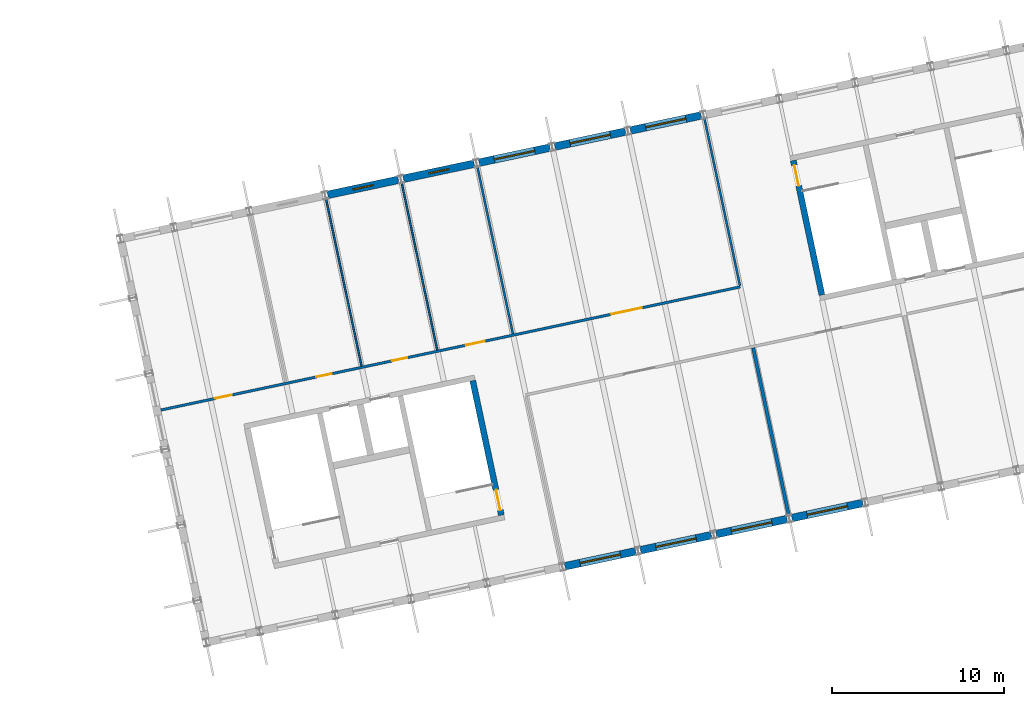
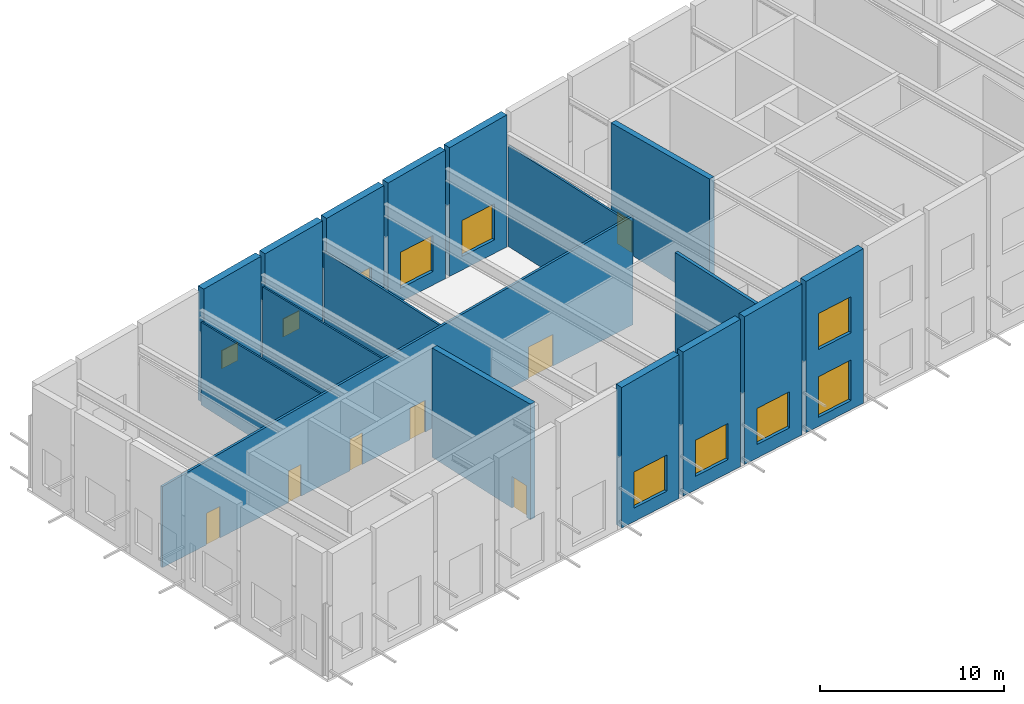
# One storey, part 41 of 69: 17 walls, 10 windows, 7 doors, 17 openings.
"""IFC4 building model written with IfcOpenShell, lengths in metres."""

from ifc_helpers import new_model, si_unit, direction, frame, frame_2d, origin, place, context, subcontext, project, spatial, polyline, rectangle, outline, extrude, material, layer, layer_set, type_object, element, fill, save


model = new_model("IFC4")

# Units and contexts
model_context = context("Model", 3, precision=1e-05, world=origin(), true_north=direction((0.0, 1.0)))
body_context = subcontext(model_context, "Body", "Model", "MODEL_VIEW")
ifc_project = project(units=[si_unit("LENGTHUNIT", "METRE"), si_unit("AREAUNIT", "SQUARE_METRE"), si_unit("VOLUMEUNIT", "CUBIC_METRE"), si_unit("PLANEANGLEUNIT", "RADIAN"), si_unit("MASSUNIT", "GRAM", prefix="KILO")], contexts=[model_context])

# Site, building, storey
site_placement = place(None, origin())
site = spatial("IfcSite", under=ifc_project, at=site_placement, CompositionType="ELEMENT")
building_placement = place(site_placement, origin())
building = spatial("IfcBuilding", under=site, at=building_placement, Name="Okhra Congress Centre", CompositionType="ELEMENT")
storey_placement = place(building_placement, frame((0.0, 0.0, 16.800048828125)))
storey = spatial("IfcBuildingStorey", under=building, at=storey_placement, Name="L03", CompositionType="ELEMENT", Elevation=16.800048828125)

# Wall
ifc_material_1 = material(Name="Double gypsum board on steel studs with mineral wool", Category="steel")
ifc_layer_1 = layer(ifc_material_1, 0.199951171875)
ifc_layer_set_1 = layer_set([ifc_layer_1], Name="Acoustic partition 200")
wall_type_1 = type_object("IfcWallType", Name="Acoustic partition 200", PredefinedType="PARTITIONING", material=ifc_layer_set_1)
wall_1_placement = place(storey_placement, frame((96.177490234375, 34.51416015625, 0.0), z_axis=(0.0, 0.0, 1.0), x_axis=(-0.20790935802, 0.978148096582, 0.0)))
element("IfcWall", 1, at=wall_1_placement, inside=storey, type_object=wall_type_1, Name="Partition S L03", PredefinedType="PARTITIONING", context=body_context, shape_type="SweptSolid", body=[
    extrude(outline(polyline([(0.0, 0.0), (9.9248046875, 0.0), (9.925048828125, 6.695556640625), (0.0, 6.695556640625), (0.0, 0.0)])), frame((0.0, 0.10009765625, 0.0), z_axis=(0.0, -1.0, 0.0), x_axis=(1.0, 0.0, 0.0)), (0.0, 0.0, 1.0), 0.199951171875),
])

# Wall, opening, window
ifc_material_2 = material(Name="Insulated metal panel on steel stud (mineral wool, vapour barrier)", Category="steel")
ifc_layer_2 = layer(ifc_material_2, 0.449951171875)
ifc_layer_set_2 = layer_set([ifc_layer_2], Name="Insulated wall 450")
wall_type_2 = type_object("IfcWallType", Name="Insulated wall 450", PredefinedType="SOLIDWALL", material=ifc_layer_set_2)
wall_2_placement = place(storey_placement, frame((83.166015625, 31.5185546875, 0.0), z_axis=(0.0, 0.0, 1.0), x_axis=(0.978155748334, 0.207873355681, 0.0)))
wall_2 = element("IfcWall", 2, at=wall_2_placement, inside=storey, type_object=wall_type_2, Name="External wall S6 L03", PredefinedType="SOLIDWALL", context=body_context, shape_type="SweptSolid", body=[
    extrude(outline(polyline([(0.0, 0.0), (4.199951171875, 0.0), (4.199951171875, 9.556640625), (0.0, 9.331787109375), (0.0, 0.0)])), frame((0.0, 0.22509765625, 0.0), z_axis=(0.0, -1.0, 0.0), x_axis=(1.0, 0.0, 0.0)), (0.0, 0.0, 1.0), 0.449951171875),
])
opening_1_placement = place(wall_2_placement, frame((0.89990234375, 0.0, 0.89990234375)))
opening_1 = element("IfcOpeningElement", 3, at=opening_1_placement, cuts=wall_2, Name="Opening WN22", PredefinedType="OPENING", context=body_context, shape_type="SweptSolid", body=[
    extrude(rectangle(XDim=2.39990234375, YDim=2.39990234375, at=frame_2d((1.199951171875, 1.199951171875))), frame((0.0, 0.23486328125, 0.0), z_axis=(0.0, -1.0, 0.0), x_axis=(1.0, 0.0, 0.0)), (0.0, 0.0, 1.0), 0.469970703125),
])
ifc_material_3 = material(Name="Thermally broken aluminium frame, triple glazing", Category="aluminium")
window_type_1 = type_object("IfcWindowType", Name="Fixed window 2400x2400", PartitioningType="SINGLE_PANEL", PredefinedType="WINDOW", material=ifc_material_3)
window_1_placement = place(opening_1_placement, origin())
window_1 = element("IfcWindow", 4, at=window_1_placement, inside=storey, type_object=window_type_1, Name="BX.WIN.L03.6", OverallHeight=2.39990234375, OverallWidth=2.39990234375, PartitioningType="SINGLE_PANEL", PredefinedType="WINDOW", context=body_context, shape_type="SweptSolid", body=[
    extrude(rectangle(XDim=2.39990234375, YDim=2.39990234375, at=frame_2d((1.199951171875, 1.199951171875))), frame((0.0, 0.030029296875, 0.0), z_axis=(0.0, -1.0, 0.0), x_axis=(1.0, 0.0, 0.0)), (0.0, 0.0, 1.0), 0.06005859375),
])
fill(opening_1, window_1)

wall_3_placement = place(storey_placement, frame((87.567626953125, 32.4541015625, 0.0), z_axis=(0.0, 0.0, 1.0), x_axis=(0.97815826, 0.207861536591, 0.0)))
wall_3 = element("IfcWall", 5, at=wall_3_placement, inside=storey, type_object=wall_type_2, Name="External wall S7 L03", PredefinedType="SOLIDWALL", context=body_context, shape_type="SweptSolid", body=[
    extrude(outline(polyline([(0.0, 0.0), (4.2001953125, 0.0), (4.199951171875, 9.79736328125), (0.0, 9.57275390625), (0.0, 0.0)])), frame((0.0, 0.22509765625, 0.0), z_axis=(0.0, -1.0, 0.0), x_axis=(1.0, 0.0, 0.0)), (0.0, 0.0, 1.0), 0.449951171875),
])
opening_2_placement = place(wall_3_placement, frame((0.89990234375, 0.0, 0.89990234375)))
opening_2 = element("IfcOpeningElement", 6, at=opening_2_placement, cuts=wall_3, Name="Opening WN22", PredefinedType="OPENING", context=body_context, shape_type="SweptSolid", body=[
    extrude(rectangle(XDim=2.39990234375, YDim=2.39990234375, at=frame_2d((1.199951171875, 1.199951171875))), frame((0.0, 0.23486328125, 0.0), z_axis=(0.0, -1.0, 0.0), x_axis=(1.0, 0.0, 0.0)), (0.0, 0.0, 1.0), 0.469970703125),
])
window_2_placement = place(opening_2_placement, origin())
window_2 = element("IfcWindow", 7, at=window_2_placement, inside=storey, type_object=window_type_1, Name="BX.WIN.L03.7", OverallHeight=2.39990234375, OverallWidth=2.39990234375, PartitioningType="SINGLE_PANEL", PredefinedType="WINDOW", context=body_context, shape_type="SweptSolid", body=[
    extrude(rectangle(XDim=2.39990234375, YDim=2.39990234375, at=frame_2d((1.199951171875, 1.199951171875))), frame((0.0, 0.030029296875, 0.0), z_axis=(0.0, -1.0, 0.0), x_axis=(1.0, 0.0, 0.0)), (0.0, 0.0, 1.0), 0.06005859375),
])
fill(opening_2, window_2)

wall_4_placement = place(storey_placement, frame((91.969482421875, 33.3896484375, 0.0), z_axis=(0.0, 0.0, 1.0), x_axis=(0.978143927149, 0.207928972925, 0.0)))
wall_4 = element("IfcWall", 8, at=wall_4_placement, inside=storey, type_object=wall_type_2, Name="External wall S8 L03", PredefinedType="SOLIDWALL", context=body_context, shape_type="SweptSolid", body=[
    extrude(outline(polyline([(0.0, 0.0), (4.199951171875, 0.0), (4.199951171875, 10.0380859375), (0.0, 9.8134765625), (0.0, 0.0)])), frame((0.0, 0.22509765625, 0.0), z_axis=(0.0, -1.0, 0.0), x_axis=(1.0, 0.0, 0.0)), (0.0, 0.0, 1.0), 0.449951171875),
])
opening_3_placement = place(wall_4_placement, frame((0.89990234375, 0.0, 0.89990234375)))
opening_3 = element("IfcOpeningElement", 9, at=opening_3_placement, cuts=wall_4, Name="Opening WN22", PredefinedType="OPENING", context=body_context, shape_type="SweptSolid", body=[
    extrude(rectangle(XDim=2.39990234375, YDim=2.39990234375, at=frame_2d((1.199951171875, 1.199951171875))), frame((0.0, 0.23486328125, 0.0), z_axis=(0.0, -1.0, 0.0), x_axis=(1.0, 0.0, 0.0)), (0.0, 0.0, 1.0), 0.469970703125),
])
window_3_placement = place(opening_3_placement, origin())
window_3 = element("IfcWindow", 10, at=window_3_placement, inside=storey, type_object=window_type_1, Name="BX.WIN.L03.8", OverallHeight=2.39990234375, OverallWidth=2.39990234375, PartitioningType="SINGLE_PANEL", PredefinedType="WINDOW", context=body_context, shape_type="SweptSolid", body=[
    extrude(rectangle(XDim=2.39990234375, YDim=2.39990234375, at=frame_2d((1.199951171875, 1.199951171875))), frame((0.0, 0.030029296875, 0.0), z_axis=(0.0, -1.0, 0.0), x_axis=(1.0, 0.0, 0.0)), (0.0, 0.0, 1.0), 0.06005859375),
])
fill(opening_3, window_3)

# Wall, openings, windows
wall_5_placement = place(storey_placement, frame((96.37109375, 34.3251953125, 0.0), z_axis=(0.0, 0.0, 1.0), x_axis=(0.978143927149, 0.207928972925, 0.0)))
wall_5 = element("IfcWall", 11, at=wall_5_placement, inside=storey, type_object=wall_type_2, Name="External wall S9 L03", PredefinedType="SOLIDWALL", context=body_context, shape_type="SweptSolid", body=[
    extrude(outline(polyline([(0.0, 0.0), (4.199951171875, 0.0), (4.199951171875, 10.27880859375), (0.0, 10.05419921875), (0.0, 0.0)])), frame((0.0, 0.22509765625, 0.0), z_axis=(0.0, -1.0, 0.0), x_axis=(1.0, 0.0, 0.0)), (0.0, 0.0, 1.0), 0.449951171875),
])
opening_4_placement = place(wall_5_placement, frame((0.89990234375, 0.0, 0.60009765625)))
opening_4 = element("IfcOpeningElement", 12, at=opening_4_placement, cuts=wall_5, Name="Opening WN23", PredefinedType="OPENING", context=body_context, shape_type="SweptSolid", body=[
    extrude(rectangle(XDim=2.39990234375, YDim=2.699951171875, at=frame_2d((1.199951171875, 1.35009765625))), frame((0.0, 0.23486328125, 0.0), z_axis=(0.0, -1.0, 0.0), x_axis=(1.0, 0.0, 0.0)), (0.0, 0.0, 1.0), 0.469970703125),
])
opening_5_placement = place(wall_5_placement, frame((0.89990234375, 0.0, 5.10009765625)))
opening_5 = element("IfcOpeningElement", 13, at=opening_5_placement, cuts=wall_5, Name="Opening WN22", PredefinedType="OPENING", context=body_context, shape_type="SweptSolid", body=[
    extrude(rectangle(XDim=2.39990234375, YDim=2.39990234375, at=frame_2d((1.199951171875, 1.199951171875))), frame((0.0, 0.23486328125, 0.0), z_axis=(0.0, -1.0, 0.0), x_axis=(1.0, 0.0, 0.0)), (0.0, 0.0, 1.0), 0.469970703125),
])
window_type_2 = type_object("IfcWindowType", Name="Casement window 2400x2700", PartitioningType="SINGLE_PANEL", PredefinedType="WINDOW", material=ifc_material_3)
window_4_placement = place(opening_4_placement, origin())
window_4 = element("IfcWindow", 14, at=window_4_placement, inside=storey, type_object=window_type_2, Name="BX.WIN.L03.9", OverallHeight=2.699951171875, OverallWidth=2.39990234375, PartitioningType="SINGLE_PANEL", PredefinedType="WINDOW", context=body_context, shape_type="SweptSolid", body=[
    extrude(rectangle(XDim=2.39990234375, YDim=2.699951171875, at=frame_2d((1.199951171875, 1.35009765625))), frame((0.0, 0.030029296875, 0.0), z_axis=(0.0, -1.0, 0.0), x_axis=(1.0, 0.0, 0.0)), (0.0, 0.0, 1.0), 0.06005859375),
])
fill(opening_4, window_4)
window_5_placement = place(opening_5_placement, origin())
window_5 = element("IfcWindow", 15, at=window_5_placement, inside=storey, type_object=window_type_1, Name="BX.WIN.L03.10", OverallHeight=2.39990234375, OverallWidth=2.39990234375, PartitioningType="SINGLE_PANEL", PredefinedType="WINDOW", context=body_context, shape_type="SweptSolid", body=[
    extrude(rectangle(XDim=2.39990234375, YDim=2.39990234375, at=frame_2d((1.199951171875, 1.199951171875))), frame((0.0, 0.030029296875, 0.0), z_axis=(0.0, -1.0, 0.0), x_axis=(1.0, 0.0, 0.0)), (0.0, 0.0, 1.0), 0.06005859375),
])
fill(opening_5, window_5)

# Wall, opening, window
wall_6_placement = place(storey_placement, frame((69.372802734375, 53.122802734375, 0.0), z_axis=(0.0, 0.0, 1.0), x_axis=(0.978143927149, 0.207928972925, 0.0)))
wall_6 = element("IfcWall", 16, at=wall_6_placement, inside=storey, type_object=wall_type_2, Name="External wall N4 L03", PredefinedType="SOLIDWALL", context=body_context, shape_type="SweptSolid", body=[
    extrude(outline(polyline([(0.0, 0.0), (4.199951171875, 0.0), (4.199951171875, 7.817138671875), (0.0, 7.592529296875), (0.0, 0.0)])), frame((0.0, 0.22509765625, 0.0), z_axis=(0.0, -1.0, 0.0), x_axis=(1.0, 0.0, 0.0)), (0.0, 0.0, 1.0), 0.449951171875),
])
opening_6_placement = place(wall_6_placement, frame((1.5, 0.0, 1.5)))
opening_6 = element("IfcOpeningElement", 17, at=opening_6_placement, cuts=wall_6, Name="Opening WN24", PredefinedType="OPENING", context=body_context, shape_type="SweptSolid", body=[
    extrude(rectangle(XDim=1.199951171875, YDim=1.199951171875, at=frame_2d((0.60009765625, 0.60009765625))), frame((0.0, 0.23486328125, 0.0), z_axis=(0.0, -1.0, 0.0), x_axis=(1.0, 0.0, 0.0)), (0.0, 0.0, 1.0), 0.469970703125),
])
window_type_3 = type_object("IfcWindowType", Name="Tilt-and-turn window 1200x1200", PartitioningType="SINGLE_PANEL", PredefinedType="WINDOW", material=ifc_material_3)
window_6_placement = place(opening_6_placement, origin())
window_6 = element("IfcWindow", 18, at=window_6_placement, inside=storey, type_object=window_type_3, Name="BX.WIN.L03.79", OverallHeight=1.199951171875, OverallWidth=1.199951171875, PartitioningType="SINGLE_PANEL", PredefinedType="WINDOW", context=body_context, shape_type="SweptSolid", body=[
    extrude(rectangle(XDim=1.199951171875, YDim=1.199951171875, at=frame_2d((0.60009765625, 0.60009765625))), frame((0.0, 0.030029296875, 0.0), z_axis=(0.0, -1.0, 0.0), x_axis=(1.0, 0.0, 0.0)), (0.0, 0.0, 1.0), 0.06005859375),
])
fill(opening_6, window_6)

wall_7_placement = place(storey_placement, frame((73.7744140625, 54.058349609375, 0.0), z_axis=(0.0, 0.0, 1.0), x_axis=(0.978146440129, 0.207917150959, 0.0)))
wall_7 = element("IfcWall", 19, at=wall_7_placement, inside=storey, type_object=wall_type_2, Name="External wall N5 L03", PredefinedType="SOLIDWALL", context=body_context, shape_type="SweptSolid", body=[
    extrude(outline(polyline([(0.0, 0.0), (4.2001953125, 0.0), (4.199951171875, 8.05810546875), (0.0, 7.833251953125), (0.0, 0.0)])), frame((0.0, 0.22509765625, 0.0), z_axis=(0.0, -1.0, 0.0), x_axis=(1.0, 0.0, 0.0)), (0.0, 0.0, 1.0), 0.449951171875),
])
opening_7_placement = place(wall_7_placement, frame((1.5, 0.0, 1.5)))
opening_7 = element("IfcOpeningElement", 20, at=opening_7_placement, cuts=wall_7, Name="Opening WN24", PredefinedType="OPENING", context=body_context, shape_type="SweptSolid", body=[
    extrude(rectangle(XDim=1.199951171875, YDim=1.199951171875, at=frame_2d((0.60009765625, 0.60009765625))), frame((0.0, 0.23486328125, 0.0), z_axis=(0.0, -1.0, 0.0), x_axis=(1.0, 0.0, 0.0)), (0.0, 0.0, 1.0), 0.469970703125),
])
window_7_placement = place(opening_7_placement, origin())
window_7 = element("IfcWindow", 21, at=window_7_placement, inside=storey, type_object=window_type_3, Name="BX.WIN.L03.80", OverallHeight=1.199951171875, OverallWidth=1.199951171875, PartitioningType="SINGLE_PANEL", PredefinedType="WINDOW", context=body_context, shape_type="SweptSolid", body=[
    extrude(rectangle(XDim=1.199951171875, YDim=1.199951171875, at=frame_2d((0.60009765625, 0.60009765625))), frame((0.0, 0.030029296875, 0.0), z_axis=(0.0, -1.0, 0.0), x_axis=(1.0, 0.0, 0.0)), (0.0, 0.0, 1.0), 0.06005859375),
])
fill(opening_7, window_7)

wall_8_placement = place(storey_placement, frame((78.17626953125, 54.993896484375, 0.0), z_axis=(0.0, 0.0, 1.0), x_axis=(0.978143927149, 0.207928972925, 0.0)))
wall_8 = element("IfcWall", 22, at=wall_8_placement, inside=storey, type_object=wall_type_2, Name="External wall N6 L03", PredefinedType="SOLIDWALL", context=body_context, shape_type="SweptSolid", body=[
    extrude(outline(polyline([(0.0, 0.0), (4.199951171875, 0.0), (4.199951171875, 8.298828125), (0.0, 8.073974609375), (0.0, 0.0)])), frame((0.0, 0.22509765625, 0.0), z_axis=(0.0, -1.0, 0.0), x_axis=(1.0, 0.0, 0.0)), (0.0, 0.0, 1.0), 0.449951171875),
])
opening_8_placement = place(wall_8_placement, frame((0.89990234375, 0.0, 0.89990234375)))
opening_8 = element("IfcOpeningElement", 23, at=opening_8_placement, cuts=wall_8, Name="Opening WN22", PredefinedType="OPENING", context=body_context, shape_type="SweptSolid", body=[
    extrude(rectangle(XDim=2.39990234375, YDim=2.39990234375, at=frame_2d((1.199951171875, 1.199951171875))), frame((0.0, 0.23486328125, 0.0), z_axis=(0.0, -1.0, 0.0), x_axis=(1.0, 0.0, 0.0)), (0.0, 0.0, 1.0), 0.469970703125),
])
window_8_placement = place(opening_8_placement, origin())
window_8 = element("IfcWindow", 24, at=window_8_placement, inside=storey, type_object=window_type_1, Name="BX.WIN.L03.81", OverallHeight=2.39990234375, OverallWidth=2.39990234375, PartitioningType="SINGLE_PANEL", PredefinedType="WINDOW", context=body_context, shape_type="SweptSolid", body=[
    extrude(rectangle(XDim=2.39990234375, YDim=2.39990234375, at=frame_2d((1.199951171875, 1.199951171875))), frame((0.0, 0.030029296875, 0.0), z_axis=(0.0, -1.0, 0.0), x_axis=(1.0, 0.0, 0.0)), (0.0, 0.0, 1.0), 0.06005859375),
])
fill(opening_8, window_8)

wall_9_placement = place(storey_placement, frame((82.577880859375, 55.9296875, 0.0), z_axis=(0.0, 0.0, 1.0), x_axis=(0.978155748334, 0.207873355681, 0.0)))
wall_9 = element("IfcWall", 25, at=wall_9_placement, inside=storey, type_object=wall_type_2, Name="External wall N7 L03", PredefinedType="SOLIDWALL", context=body_context, shape_type="SweptSolid", body=[
    extrude(outline(polyline([(0.0, 0.0), (4.199951171875, 0.0), (4.199951171875, 8.53955078125), (0.0, 8.31494140625), (0.0, 0.0)])), frame((0.0, 0.22509765625, 0.0), z_axis=(0.0, -1.0, 0.0), x_axis=(1.0, 0.0, 0.0)), (0.0, 0.0, 1.0), 0.449951171875),
])
opening_9_placement = place(wall_9_placement, frame((0.89990234375, 0.0, 0.89990234375)))
opening_9 = element("IfcOpeningElement", 26, at=opening_9_placement, cuts=wall_9, Name="Opening WN22", PredefinedType="OPENING", context=body_context, shape_type="SweptSolid", body=[
    extrude(rectangle(XDim=2.39990234375, YDim=2.39990234375, at=frame_2d((1.199951171875, 1.199951171875))), frame((0.0, 0.23486328125, 0.0), z_axis=(0.0, -1.0, 0.0), x_axis=(1.0, 0.0, 0.0)), (0.0, 0.0, 1.0), 0.469970703125),
])
window_9_placement = place(opening_9_placement, origin())
window_9 = element("IfcWindow", 27, at=window_9_placement, inside=storey, type_object=window_type_1, Name="BX.WIN.L03.82", OverallHeight=2.39990234375, OverallWidth=2.39990234375, PartitioningType="SINGLE_PANEL", PredefinedType="WINDOW", context=body_context, shape_type="SweptSolid", body=[
    extrude(rectangle(XDim=2.39990234375, YDim=2.39990234375, at=frame_2d((1.199951171875, 1.199951171875))), frame((0.0, 0.030029296875, 0.0), z_axis=(0.0, -1.0, 0.0), x_axis=(1.0, 0.0, 0.0)), (0.0, 0.0, 1.0), 0.06005859375),
])
fill(opening_9, window_9)

wall_10_placement = place(storey_placement, frame((86.9794921875, 56.865234375, 0.0), z_axis=(0.0, 0.0, 1.0), x_axis=(0.978143927149, 0.207928972925, 0.0)))
wall_10 = element("IfcWall", 28, at=wall_10_placement, inside=storey, type_object=wall_type_2, Name="External wall N8 L03", PredefinedType="SOLIDWALL", context=body_context, shape_type="SweptSolid", body=[
    extrude(outline(polyline([(0.0, 0.0), (4.199951171875, 0.0), (4.199951171875, 8.7802734375), (0.0, 8.5556640625), (0.0, 0.0)])), frame((0.0, 0.22509765625, 0.0), z_axis=(0.0, -1.0, 0.0), x_axis=(1.0, 0.0, 0.0)), (0.0, 0.0, 1.0), 0.449951171875),
])
opening_10_placement = place(wall_10_placement, frame((0.89990234375, 0.0, 0.89990234375)))
opening_10 = element("IfcOpeningElement", 29, at=opening_10_placement, cuts=wall_10, Name="Opening WN22", PredefinedType="OPENING", context=body_context, shape_type="SweptSolid", body=[
    extrude(rectangle(XDim=2.39990234375, YDim=2.39990234375, at=frame_2d((1.199951171875, 1.199951171875))), frame((0.0, 0.23486328125, 0.0), z_axis=(0.0, -1.0, 0.0), x_axis=(1.0, 0.0, 0.0)), (0.0, 0.0, 1.0), 0.469970703125),
])
window_10_placement = place(opening_10_placement, origin())
window_10 = element("IfcWindow", 30, at=window_10_placement, inside=storey, type_object=window_type_1, Name="BX.WIN.L03.83", OverallHeight=2.39990234375, OverallWidth=2.39990234375, PartitioningType="SINGLE_PANEL", PredefinedType="WINDOW", context=body_context, shape_type="SweptSolid", body=[
    extrude(rectangle(XDim=2.39990234375, YDim=2.39990234375, at=frame_2d((1.199951171875, 1.199951171875))), frame((0.0, 0.030029296875, 0.0), z_axis=(0.0, -1.0, 0.0), x_axis=(1.0, 0.0, 0.0)), (0.0, 0.0, 1.0), 0.06005859375),
])
fill(opening_10, window_10)

# Walls
ifc_material_4 = material(Name="Gypsum board on steel studs", Category="steel")
ifc_layer_3 = layer(ifc_material_4, 0.10009765625)
ifc_layer_set_3 = layer_set([ifc_layer_3], Name="Partition 100")
wall_type_3 = type_object("IfcWallType", Name="Partition 100", PredefinedType="PARTITIONING", material=ifc_layer_set_3)
wall_11_placement = place(storey_placement, frame((69.27294921875, 52.87158203125, 0.0), z_axis=(0.0, 0.0, 1.0), x_axis=(0.207904355568, -0.978149159861, 0.0)))
element("IfcWall", 31, at=wall_11_placement, inside=storey, type_object=wall_type_3, Name="Partition N L03", PredefinedType="PARTITIONING", context=body_context, shape_type="SweptSolid", body=[
    extrude(outline(polyline([(0.0, 0.0), (9.925048828125, 0.0), (9.925048828125, 5.791748046875), (0.0, 5.496337890625), (0.0, 0.0)])), frame((0.0, 0.050048828125, 0.0), z_axis=(0.0, -1.0, 0.0), x_axis=(1.0, 0.0, 0.0)), (0.0, 0.0, 1.0), 0.10009765625),
])
wall_12_placement = place(storey_placement, frame((73.674560546875, 53.80712890625, 0.0), z_axis=(0.0, 0.0, 1.0), x_axis=(0.207904355568, -0.978149159861, 0.0)))
element("IfcWall", 32, at=wall_12_placement, inside=storey, type_object=wall_type_3, Name="Partition N L03", PredefinedType="PARTITIONING", context=body_context, shape_type="SweptSolid", body=[
    extrude(outline(polyline([(0.0, 0.0), (9.925048828125, 0.0), (9.925048828125, 6.032470703125), (0.0, 5.737060546875), (0.0, 0.0)])), frame((0.0, 0.050048828125, 0.0), z_axis=(0.0, -1.0, 0.0), x_axis=(1.0, 0.0, 0.0)), (0.0, 0.0, 1.0), 0.10009765625),
])
ifc_layer_4 = layer(ifc_material_4, 0.125)
ifc_layer_set_4 = layer_set([ifc_layer_4], Name="Partition 125")
wall_type_4 = type_object("IfcWallType", Name="Partition 125", PredefinedType="PARTITIONING", material=ifc_layer_set_4)
wall_13_placement = place(storey_placement, frame((78.076171875, 54.74267578125, 0.0), z_axis=(0.0, 0.0, 1.0), x_axis=(0.20790935802, -0.978148096582, 0.0)))
element("IfcWall", 33, at=wall_13_placement, inside=storey, type_object=wall_type_4, Name="Partition N L03", PredefinedType="PARTITIONING", context=body_context, shape_type="SweptSolid", body=[
    extrude(outline(polyline([(0.0, 0.0), (9.9248046875, 0.0), (9.925048828125, 5.97314453125), (0.0, 5.97314453125), (0.0, 0.0)])), frame((0.0, 0.0625, 0.0), z_axis=(0.0, -1.0, 0.0), x_axis=(1.0, 0.0, 0.0)), (0.0, 0.0, 1.0), 0.125),
])
wall_14_placement = place(storey_placement, frame((91.28125, 57.549560546875, 0.0), z_axis=(0.0, 0.0, 1.0), x_axis=(0.207904355568, -0.978149159861, 0.0)))
element("IfcWall", 34, at=wall_14_placement, inside=storey, type_object=wall_type_4, Name="Partition N L03", PredefinedType="PARTITIONING", context=body_context, shape_type="SweptSolid", body=[
    extrude(outline(polyline([(0.0, 0.0), (9.925048828125, 0.0), (9.925048828125, 6.695556640625), (0.0, 6.695556640625), (0.0, 0.0)])), frame((0.0, 0.0625, 0.0), z_axis=(0.0, -1.0, 0.0), x_axis=(1.0, 0.0, 0.0)), (0.0, 0.0, 1.0), 0.125),
])

# Wall, openings, doors
ifc_layer_5 = layer(ifc_material_4, 0.14990234375)
ifc_layer_set_5 = layer_set([ifc_layer_5], Name="Partition 150 EI 15")
wall_type_5 = type_object("IfcWallType", Name="Partition 150 EI 15", PredefinedType="PARTITIONING", material=ifc_layer_set_5)
wall_15_placement = place(storey_placement, frame((59.6630859375, 40.60546875, 0.0), z_axis=(0.0, 0.0, 1.0), x_axis=(0.978147466509, 0.207912322295, 0.0)))
wall_15 = element("IfcWall", 35, at=wall_15_placement, inside=storey, type_object=wall_type_5, Name="Corridor wall N1 L03", PredefinedType="PARTITIONING", context=body_context, shape_type="SweptSolid", body=[
    extrude(outline(polyline([(0.0, 0.0), (34.4501953125, 0.0), (34.449951171875, 7.22412109375), (0.0, 5.381103515625), (0.0, 0.0)])), frame((0.0, 0.074951171875, 0.0), z_axis=(0.0, -1.0, 0.0), x_axis=(1.0, 0.0, 0.0)), (0.0, 0.0, 1.0), 0.14990234375),
])
opening_11_placement = place(wall_15_placement, frame((3.22509765625, 0.0, 0.0)))
opening_11 = element("IfcOpeningElement", 36, at=opening_11_placement, cuts=wall_15, Name="Opening L03-054", PredefinedType="OPENING", context=body_context, shape_type="SweptSolid", body=[
    extrude(rectangle(XDim=1.0, YDim=2.10009765625, at=frame_2d((0.5, 1.050048828125))), frame((0.0, 0.0849609375, 0.0), z_axis=(0.0, -1.0, 0.0), x_axis=(1.0, 0.0, 0.0)), (0.0, 0.0, 1.0), 0.169921875),
])
opening_12_placement = place(wall_15_placement, frame((9.25, 0.0, 0.0)))
opening_12 = element("IfcOpeningElement", 37, at=opening_12_placement, cuts=wall_15, Name="Opening L03-055", PredefinedType="OPENING", context=body_context, shape_type="SweptSolid", body=[
    extrude(rectangle(XDim=0.89990234375, YDim=2.10009765625, at=frame_2d((0.449951171875, 1.050048828125))), frame((0.0, 0.0849609375, 0.0), z_axis=(0.0, -1.0, 0.0), x_axis=(1.0, 0.0, 0.0)), (0.0, 0.0, 1.0), 0.169921875),
])
opening_13_placement = place(wall_15_placement, frame((13.75, 0.0, 0.0)))
opening_13 = element("IfcOpeningElement", 38, at=opening_13_placement, cuts=wall_15, Name="Opening L03-056", PredefinedType="OPENING", context=body_context, shape_type="SweptSolid", body=[
    extrude(rectangle(XDim=0.89990234375, YDim=2.10009765625, at=frame_2d((0.449951171875, 1.050048828125))), frame((0.0, 0.0849609375, 0.0), z_axis=(0.0, -1.0, 0.0), x_axis=(1.0, 0.0, 0.0)), (0.0, 0.0, 1.0), 0.169921875),
])
opening_14_placement = place(wall_15_placement, frame((18.14990234375, 0.0, 0.0)))
opening_14 = element("IfcOpeningElement", 39, at=opening_14_placement, cuts=wall_15, Name="Opening L03-057", PredefinedType="OPENING", context=body_context, shape_type="SweptSolid", body=[
    extrude(rectangle(XDim=1.10009765625, YDim=2.10009765625, at=frame_2d((0.550048828125, 1.050048828125))), frame((0.0, 0.0849609375, 0.0), z_axis=(0.0, -1.0, 0.0), x_axis=(1.0, 0.0, 0.0)), (0.0, 0.0, 1.0), 0.169921875),
])
opening_15_placement = place(wall_15_placement, frame((26.800048828125, 0.0, 0.0)))
opening_15 = element("IfcOpeningElement", 40, at=opening_15_placement, cuts=wall_15, Name="Opening L03-058", PredefinedType="OPENING", context=body_context, shape_type="SweptSolid", body=[
    extrude(rectangle(XDim=1.800048828125, YDim=2.10009765625, at=frame_2d((0.89990234375, 1.050048828125))), frame((0.0, 0.0849609375, 0.0), z_axis=(0.0, -1.0, 0.0), x_axis=(1.0, 0.0, 0.0)), (0.0, 0.0, 1.0), 0.169921875),
])
ifc_material_5 = material(Name="Timber door leaves in steel frame", Category="steel")
door_type_1 = type_object("IfcDoorType", Name="Double swing door 1800x2100", OperationType="NOTDEFINED", PredefinedType="DOOR", material=ifc_material_5)
door_1_placement = place(opening_15_placement, frame((1.800048828125, 0.0, 0.0), z_axis=(0.0, 0.0, 1.0), x_axis=(-1.0, 0.0, 0.0)))
door_1 = element("IfcDoor", 41, at=door_1_placement, inside=storey, type_object=door_type_1, Name="Door L03-058", OperationType="DOUBLE_DOOR_SINGLE_SWING", OverallHeight=2.10009765625, OverallWidth=1.800048828125, PredefinedType="DOOR", context=body_context, shape_type="SweptSolid", body=[
    extrude(rectangle(XDim=1.800048828125, YDim=2.10009765625, at=frame_2d((0.89990234375, 1.050048828125))), frame((0.0, 0.02490234375, 0.0), z_axis=(0.0, -1.0, 0.0), x_axis=(1.0, 0.0, 0.0)), (0.0, 0.0, 1.0), 0.050048828125),
])
fill(opening_15, door_1)
ifc_material_6 = material(Name="Timber door leaf in steel frame", Category="steel")
door_type_2 = type_object("IfcDoorType", Name="Single swing door 1000x2100", OperationType="NOTDEFINED", PredefinedType="DOOR", material=ifc_material_6)
door_2_placement = place(opening_11_placement, origin())
door_2 = element("IfcDoor", 42, at=door_2_placement, inside=storey, type_object=door_type_2, Name="Door L03-054", OperationType="SINGLE_SWING_RIGHT", OverallHeight=2.10009765625, OverallWidth=1.0, PredefinedType="DOOR", context=body_context, shape_type="SweptSolid", body=[
    extrude(rectangle(XDim=1.0, YDim=2.10009765625, at=frame_2d((0.5, 1.050048828125))), frame((0.0, 0.02490234375, 0.0), z_axis=(0.0, -1.0, 0.0), x_axis=(1.0, 0.0, 0.0)), (0.0, 0.0, 1.0), 0.050048828125),
])
fill(opening_11, door_2)
door_type_3 = type_object("IfcDoorType", Name="Single swing door 1100x2100", OperationType="NOTDEFINED", PredefinedType="DOOR", material=ifc_material_6)
door_3_placement = place(opening_14_placement, origin())
door_3 = element("IfcDoor", 43, at=door_3_placement, inside=storey, type_object=door_type_3, Name="Door L03-057", OperationType="SINGLE_SWING_LEFT", OverallHeight=2.10009765625, OverallWidth=1.10009765625, PredefinedType="DOOR", context=body_context, shape_type="SweptSolid", body=[
    extrude(rectangle(XDim=1.10009765625, YDim=2.10009765625, at=frame_2d((0.550048828125, 1.050048828125))), frame((0.0, 0.02490234375, 0.0), z_axis=(0.0, -1.0, 0.0), x_axis=(1.0, 0.0, 0.0)), (0.0, 0.0, 1.0), 0.050048828125),
])
fill(opening_14, door_3)
door_type_4 = type_object("IfcDoorType", Name="Single swing door 900x2100", OperationType="NOTDEFINED", PredefinedType="DOOR", material=ifc_material_6)
door_4_placement = place(opening_12_placement, origin())
door_4 = element("IfcDoor", 44, at=door_4_placement, inside=storey, type_object=door_type_4, Name="Door L03-055", OperationType="SINGLE_SWING_LEFT", OverallHeight=2.10009765625, OverallWidth=0.89990234375, PredefinedType="DOOR", context=body_context, shape_type="SweptSolid", body=[
    extrude(rectangle(XDim=0.89990234375, YDim=2.10009765625, at=frame_2d((0.449951171875, 1.050048828125))), frame((0.0, 0.02490234375, 0.0), z_axis=(0.0, -1.0, 0.0), x_axis=(1.0, 0.0, 0.0)), (0.0, 0.0, 1.0), 0.050048828125),
])
fill(opening_12, door_4)
door_5_placement = place(opening_13_placement, origin())
door_5 = element("IfcDoor", 45, at=door_5_placement, inside=storey, type_object=door_type_4, Name="Door L03-056", OperationType="SINGLE_SWING_RIGHT", OverallHeight=2.10009765625, OverallWidth=0.89990234375, PredefinedType="DOOR", context=body_context, shape_type="SweptSolid", body=[
    extrude(rectangle(XDim=0.89990234375, YDim=2.10009765625, at=frame_2d((0.449951171875, 1.050048828125))), frame((0.0, 0.02490234375, 0.0), z_axis=(0.0, -1.0, 0.0), x_axis=(1.0, 0.0, 0.0)), (0.0, 0.0, 1.0), 0.050048828125),
])
fill(opening_13, door_5)

# Wall, opening, door
ifc_material_7 = material(Name="Concrete C30/37", Category="concrete")
ifc_layer_6 = layer(ifc_material_7, 0.35009765625)
ifc_layer_set_6 = layer_set([ifc_layer_6], Name="RC wall 350 REI 120 C30/37")
wall_type_6 = type_object("IfcWallType", Name="RC wall 350 REI 120 C30/37", PredefinedType="SOLIDWALL", material=ifc_layer_set_6)
wall_16_placement = place(storey_placement, frame((79.467529296875, 34.489501953125, 0.0), z_axis=(0.0, 0.0, 1.0), x_axis=(-0.207915693476, 0.978146749934, 0.0)))
wall_16 = element("IfcWall", 46, at=wall_16_placement, inside=storey, type_object=wall_type_6, Name="BX.WALL.L03.K1E", PredefinedType="SOLIDWALL", context=body_context, shape_type="SweptSolid", body=[
    extrude(outline(polyline([(0.0, 0.0), (8.0, 0.0), (8.0, 7.259521484375), (0.0, 7.6787109375), (0.0, 0.0)])), frame((0.0, 0.175048828125, 0.0), z_axis=(0.0, -1.0, 0.0), x_axis=(1.0, 0.0, 0.0)), (0.0, 0.0, 1.0), 0.35009765625),
])
opening_16_placement = place(wall_16_placement, frame((0.300048828125, 0.0, 0.0)))
opening_16 = element("IfcOpeningElement", 47, at=opening_16_placement, cuts=wall_16, Name="Opening L03-022", PredefinedType="OPENING", context=body_context, shape_type="SweptSolid", body=[
    extrude(rectangle(XDim=1.199951171875, YDim=2.10009765625, at=frame_2d((0.60009765625, 1.050048828125))), frame((0.0, 0.18505859375, 0.0), z_axis=(0.0, -1.0, 0.0), x_axis=(1.0, 0.0, 0.0)), (0.0, 0.0, 1.0), 0.3701171875),
])
ifc_material_8 = material(Name="Steel fire door leaf in steel frame, intumescent seals", Category="steel")
door_type_5 = type_object("IfcDoorType", Name="Steel fire door 1200x2100 EI 30", OperationType="NOTDEFINED", PredefinedType="DOOR", material=ifc_material_8)
door_6_placement = place(opening_16_placement, frame((1.199951171875, 0.0, 0.0), z_axis=(0.0, 0.0, 1.0), x_axis=(-1.0, 0.0, 0.0)))
door_6 = element("IfcDoor", 48, at=door_6_placement, inside=storey, type_object=door_type_5, Name="Door L03-022", OperationType="SINGLE_SWING_LEFT", OverallHeight=2.10009765625, OverallWidth=1.199951171875, PredefinedType="DOOR", context=body_context, shape_type="SweptSolid", body=[
    extrude(rectangle(XDim=1.199951171875, YDim=2.10009765625, at=frame_2d((0.60009765625, 1.050048828125))), frame((0.0, 0.02490234375, 0.0), z_axis=(0.0, -1.0, 0.0), x_axis=(1.0, 0.0, 0.0)), (0.0, 0.0, 1.0), 0.050048828125),
])
fill(opening_16, door_6)

wall_17_placement = place(storey_placement, frame((96.448974609375, 55.120849609375, 0.0), z_axis=(0.0, 0.0, 1.0), x_axis=(0.207915693476, -0.978146749934, 0.0)))
wall_17 = element("IfcWall", 49, at=wall_17_placement, inside=storey, type_object=wall_type_6, Name="BX.WALL.L03.K2W", PredefinedType="SOLIDWALL", context=body_context, shape_type="SweptSolid", body=[
    extrude(outline(polyline([(0.0, 0.0), (8.0, 0.0), (8.0, 8.34375), (0.0, 7.92431640625), (0.0, 0.0)])), frame((0.0, 0.175048828125, 0.0), z_axis=(0.0, -1.0, 0.0), x_axis=(1.0, 0.0, 0.0)), (0.0, 0.0, 1.0), 0.35009765625),
])
opening_17_placement = place(wall_17_placement, frame((0.300048828125, 0.0, 0.0)))
opening_17 = element("IfcOpeningElement", 50, at=opening_17_placement, cuts=wall_17, Name="Opening L03-026", PredefinedType="OPENING", context=body_context, shape_type="SweptSolid", body=[
    extrude(rectangle(XDim=1.199951171875, YDim=2.10009765625, at=frame_2d((0.60009765625, 1.050048828125))), frame((0.0, 0.18505859375, 0.0), z_axis=(0.0, -1.0, 0.0), x_axis=(1.0, 0.0, 0.0)), (0.0, 0.0, 1.0), 0.3701171875),
])
door_7_placement = place(opening_17_placement, frame((1.199951171875, 0.0, 0.0), z_axis=(0.0, 0.0, 1.0), x_axis=(-1.0, 0.0, 0.0)))
door_7 = element("IfcDoor", 51, at=door_7_placement, inside=storey, type_object=door_type_5, Name="Door L03-026", OperationType="SINGLE_SWING_RIGHT", OverallHeight=2.10009765625, OverallWidth=1.199951171875, PredefinedType="DOOR", context=body_context, shape_type="SweptSolid", body=[
    extrude(rectangle(XDim=1.199951171875, YDim=2.10009765625, at=frame_2d((0.60009765625, 1.050048828125))), frame((0.0, 0.02490234375, 0.0), z_axis=(0.0, -1.0, 0.0), x_axis=(1.0, 0.0, 0.0)), (0.0, 0.0, 1.0), 0.050048828125),
])
fill(opening_17, door_7)

save(model, "model.ifc")
